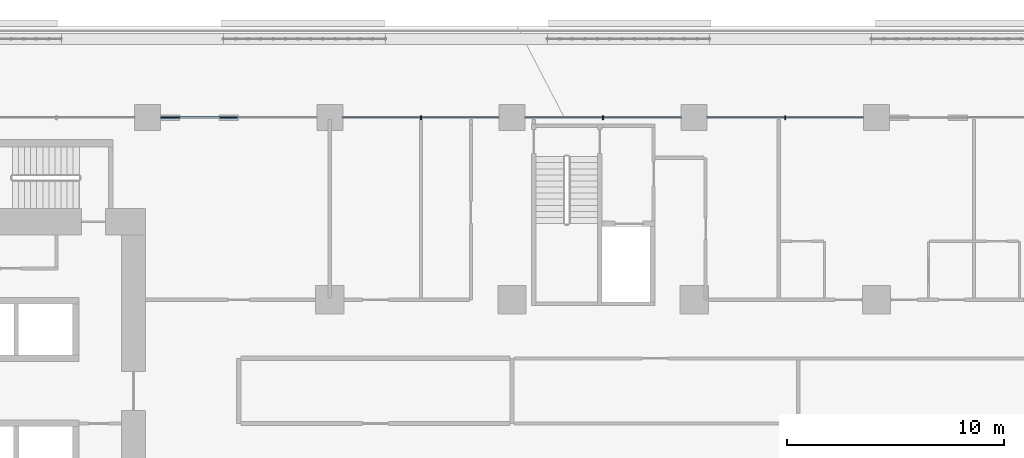
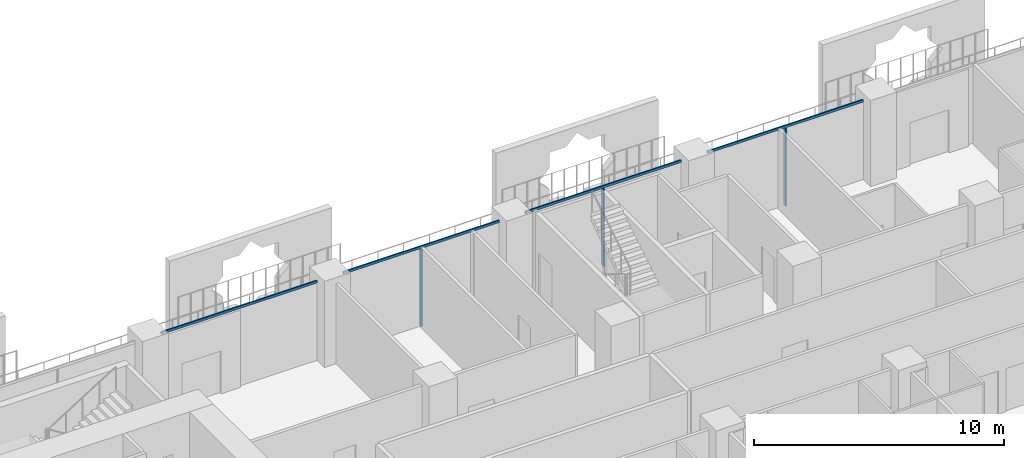
# One storey, part 9 of 29: 7 members, 1 element without a shape of its own.
"""IFC4 building model written with IfcOpenShell, lengths in metres."""

from ifc_helpers import new_model, si_unit, direction, frame, origin, origin_2d, place, context, subcontext, project, spatial, rectangle, extrude, material, layer, layer_set, material_profile, profile_set, type_object, element, aggregate, save


model = new_model("IFC4")

# Units and contexts
model_context = context("Model", 3, precision=1e-05, world=origin(), true_north=direction((0.0, 1.0)))
body_context = subcontext(model_context, "Body", "Model", "MODEL_VIEW")
ifc_project = project(units=[si_unit("LENGTHUNIT", "METRE"), si_unit("AREAUNIT", "SQUARE_METRE"), si_unit("VOLUMEUNIT", "CUBIC_METRE"), si_unit("PLANEANGLEUNIT", "RADIAN"), si_unit("MASSUNIT", "GRAM", prefix="KILO")], contexts=[model_context])

# Site, building, storey
site_placement = place(None, origin())
site = spatial("IfcSite", under=ifc_project, at=site_placement, CompositionType="ELEMENT")
building_placement = place(site_placement, origin())
building = spatial("IfcBuilding", under=site, at=building_placement, Name="Kawkab Arch Medical Tower", CompositionType="ELEMENT")
storey_placement = place(building_placement, frame((0.0, 0.0, 60.199951171875)))
storey = spatial("IfcBuildingStorey", under=building, at=storey_placement, Name="L13", CompositionType="ELEMENT", Elevation=60.199951171875)

# Curtain wall, members
ifc_material_1 = material(Name="Bronze anodised aluminium curtain wall frame", Category="aluminium")
ifc_layer = layer(ifc_material_1, 0.159912109375)
ifc_layer_set = layer_set([ifc_layer], Name="Bronze anodised aluminium curtain wall frame")
curtain_wall_type = type_object("IfcCurtainWallType", Name="CW1 ward curtain wall", PredefinedType="NOTDEFINED", material=ifc_layer_set)
curtain_wall_placement = place(storey_placement, origin())
curtain_wall = element("IfcCurtainWall", 1, at=curtain_wall_placement, inside=storey, type_object=curtain_wall_type, Name="CW1 Ward curtain wall R11", PredefinedType="NOTDEFINED")
ifc_material_2 = material(Name="Bronze anodised aluminium curtain wall frame", Category="aluminium")
ifc_material_profile_1 = material_profile(ifc_material_2, rectangle(XDim=0.179931640625, YDim=0.06005859375, at=origin_2d()), Name="AL 60x180")
ifc_profile_set_1 = profile_set([ifc_material_profile_1], Name="Bronze anodised aluminium curtain wall frame")
member_type_1 = type_object("IfcMemberType", Name="CW1 mullion 60 x 180", PredefinedType="MULLION", material=ifc_profile_set_1)
member_1_placement = place(storey_placement, frame((54.60009765625, 0.0, 0.0), z_axis=(0.0, 0.0, 1.0), x_axis=(0.0, -1.0, 0.0)))
member_1 = element("IfcMember", 2, at=member_1_placement, type_object=member_type_1, Name="CW1 mullion 3.1", PredefinedType="MULLION", context=body_context, shape_type="SweptSolid", body=[
    extrude(rectangle(XDim=0.179931640625, YDim=0.06005859375, at=origin_2d()), origin(), (0.0, 0.0, 1.0), 3.780029296875),
])
member_2_placement = place(storey_placement, frame((46.199951171875, 0.0, 0.0), z_axis=(0.0, 0.0, 1.0), x_axis=(0.0, -1.0, 0.0)))
member_2 = element("IfcMember", 3, at=member_2_placement, type_object=member_type_1, Name="CW1 mullion 4.1", PredefinedType="MULLION", context=body_context, shape_type="SweptSolid", body=[
    extrude(rectangle(XDim=0.179931640625, YDim=0.06005859375, at=origin_2d()), origin(), (0.0, 0.0, 1.0), 3.780029296875),
])
member_3_placement = place(storey_placement, frame((37.800048828125, 0.0, 0.0), z_axis=(0.0, 0.0, 1.0), x_axis=(0.0, -1.0, 0.0)))
member_3 = element("IfcMember", 4, at=member_3_placement, type_object=member_type_1, Name="CW1 mullion 5.1", PredefinedType="MULLION", context=body_context, shape_type="SweptSolid", body=[
    extrude(rectangle(XDim=0.179931640625, YDim=0.06005859375, at=origin_2d()), origin(), (0.0, 0.0, 1.0), 3.780029296875),
])
ifc_material_3 = material(Name="Bronze anodised aluminium curtain wall frame", Category="aluminium")
ifc_material_profile_2 = material_profile(ifc_material_3, rectangle(XDim=0.06005859375, YDim=0.1201171875, at=origin_2d()), Name="AL 60x120")
ifc_profile_set_2 = profile_set([ifc_material_profile_2], Name="Bronze anodised aluminium curtain wall frame")
member_type_2 = type_object("IfcMemberType", Name="CW1 transom 120 x 60", PredefinedType="USERDEFINED", material=ifc_profile_set_2)
member_4_placement = place(storey_placement, frame((58.199951171875, 0.0, 3.840087890625), z_axis=(-1.0, 0.0, 0.0), x_axis=(0.0, -1.0, 0.0)))
member_4 = element("IfcMember", 5, at=member_4_placement, type_object=member_type_2, Name="CW1 transom 3", ObjectType="TRANSOM", PredefinedType="USERDEFINED", context=body_context, shape_type="SweptSolid", body=[
    extrude(rectangle(XDim=0.06005859375, YDim=0.1201171875, at=origin_2d()), origin(), (0.0, 0.0, 1.0), 7.199951171875),
])
member_5_placement = place(storey_placement, frame((49.800048828125, 0.0, 3.840087890625), z_axis=(-1.0, 0.0, 0.0), x_axis=(0.0, -1.0, 0.0)))
member_5 = element("IfcMember", 6, at=member_5_placement, type_object=member_type_2, Name="CW1 transom 4", ObjectType="TRANSOM", PredefinedType="USERDEFINED", context=body_context, shape_type="SweptSolid", body=[
    extrude(rectangle(XDim=0.06005859375, YDim=0.1201171875, at=origin_2d()), origin(), (0.0, 0.0, 1.0), 7.199951171875),
])
member_6_placement = place(storey_placement, frame((41.39990234375, 0.0, 3.840087890625), z_axis=(-1.0, 0.0, 0.0), x_axis=(0.0, -1.0, 0.0)))
member_6 = element("IfcMember", 7, at=member_6_placement, type_object=member_type_2, Name="CW1 transom 5", ObjectType="TRANSOM", PredefinedType="USERDEFINED", context=body_context, shape_type="SweptSolid", body=[
    extrude(rectangle(XDim=0.06005859375, YDim=0.1201171875, at=origin_2d()), origin(), (0.0, 0.0, 1.0), 7.199951171875),
])
member_7_placement = place(storey_placement, frame((33.0, 0.0, 3.840087890625), z_axis=(-1.0, 0.0, 0.0), x_axis=(0.0, -1.0, 0.0)))
member_7 = element("IfcMember", 8, at=member_7_placement, type_object=member_type_2, Name="CW1 transom 6", ObjectType="TRANSOM", PredefinedType="USERDEFINED", context=body_context, shape_type="SweptSolid", body=[
    extrude(rectangle(XDim=0.06005859375, YDim=0.1201171875, at=origin_2d()), origin(), (0.0, 0.0, 1.0), 7.199951171875),
])
aggregate(curtain_wall, [member_4, member_1, member_5, member_2, member_6, member_3, member_7])

save(model, "model.ifc")
